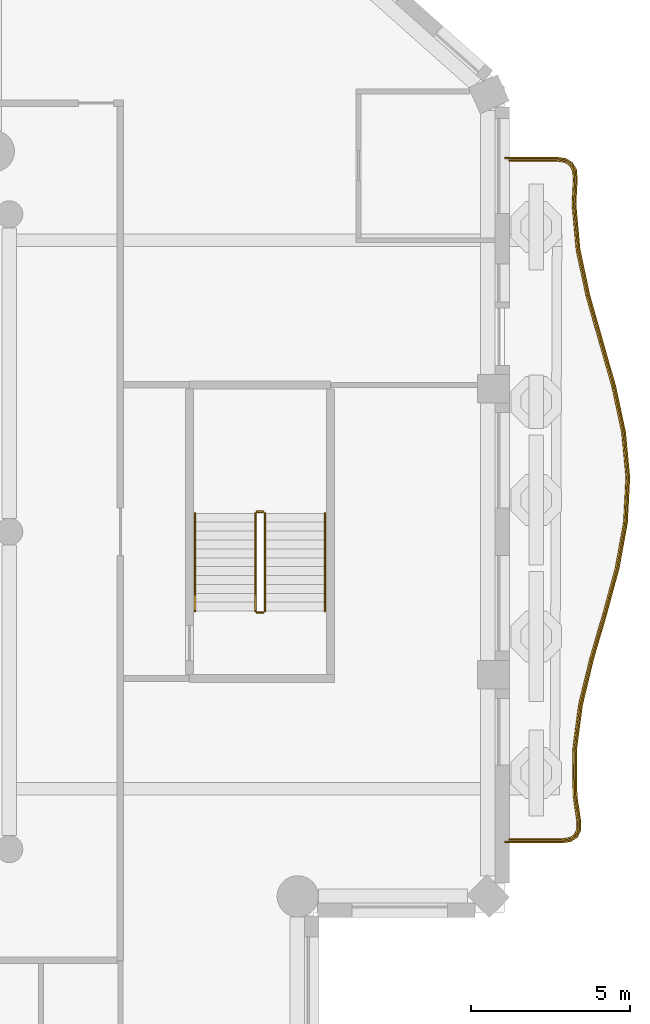
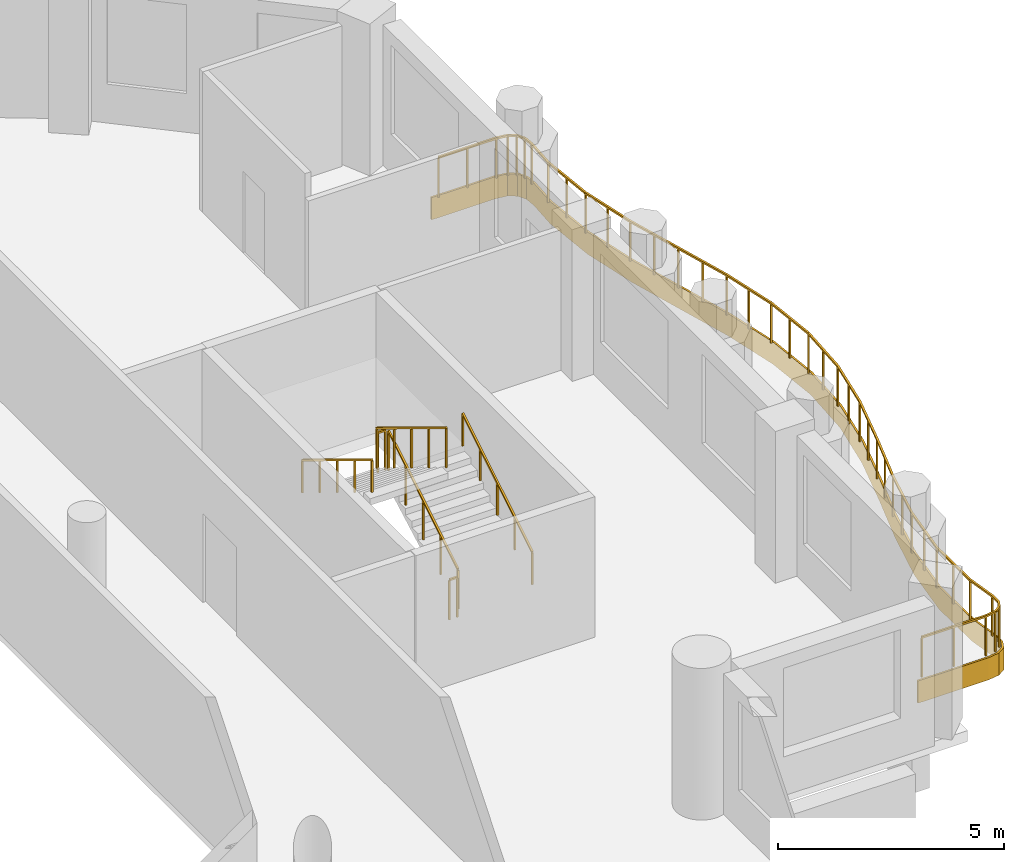
# One storey, part 12 of 14: 7 railings, 1 covering.
"""IFC4 building model written with IfcOpenShell, lengths in metres."""

from ifc_helpers import new_model, si_unit, direction, frame, origin, origin_2d, place, context, subcontext, project, spatial, polyline, rectangle, outline, extrude, material, layer, layer_set, type_object, element, save


model = new_model("IFC4")

# Units and contexts
model_context = context("Model", 3, precision=1e-05, world=origin(), true_north=direction((0.0, 1.0)))
body_context = subcontext(model_context, "Body", "Model", "MODEL_VIEW")
ifc_project = project(units=[si_unit("LENGTHUNIT", "METRE"), si_unit("AREAUNIT", "SQUARE_METRE"), si_unit("VOLUMEUNIT", "CUBIC_METRE"), si_unit("PLANEANGLEUNIT", "RADIAN"), si_unit("MASSUNIT", "GRAM", prefix="KILO")], contexts=[model_context])

# Site, building, storey
site_placement = place(None, origin())
site = spatial("IfcSite", under=ifc_project, at=site_placement, CompositionType="ELEMENT")
building_placement = place(site_placement, origin())
building = spatial("IfcBuilding", under=site, at=building_placement, Name="Cypress Arch Tower", CompositionType="ELEMENT")
storey_placement = place(building_placement, frame((0.0, 0.0, 255.699951171875)))
storey = spatial("IfcBuildingStorey", under=building, at=storey_placement, Name="L57", CompositionType="ELEMENT", Elevation=255.699951171875)

# Covering
ifc_material_1 = material(Name="White powder-coated aluminium fascia", Category="aluminium")
ifc_layer = layer(ifc_material_1, 0.050048828125)
ifc_layer_set = layer_set([ifc_layer], Name="Balcony fascia BF50")
covering_type = type_object("IfcCoveringType", Name="Balcony fascia BF50", PredefinedType="CLADDING", material=ifc_layer_set)
covering_placement = place(storey_placement, frame((0.0, 0.0, -0.599853515625)))
element("IfcCovering", 1, at=covering_placement, inside=storey, type_object=covering_type, Name="Balcony fascia L57-C17", PredefinedType="CLADDING", context=body_context, shape_type="SweptSolid", body=[
    extrude(outline(polyline([(26.2373046875, 11.800048828125), (26.531494140625, 11.7578125), (26.746826171875, 11.624267578125), (26.868408203125, 11.402099609375), (26.894775390625, 11.10595703125), (26.851806640625, 10.317626953125), (26.981201171875, 8.890869140625), (27.286376953125, 7.462158203125), (27.693115234375, 6.0302734375), (28.10205078125, 4.595458984375), (28.412353515625, 3.15771484375), (28.547607421875, 1.7177734375), (28.474365234375, 0.277587890625), (28.21044921875, -1.1611328125), (27.8212890625, -2.596923828125), (27.403076171875, -4.029541015625), (27.0576171875, -5.459228515625), (26.86962890625, -6.886474609375), (26.88427734375, -8.312744140625), (27.00244140625, -9.10107421875), (27.00390625, -9.39794921875), (26.901123046875, -9.622802734375), (26.694091796875, -9.757568359375), (26.400390625, -9.800048828125), (24.60107421875, -9.800048828125), (24.60107421875, -9.75), (26.396728515625, -9.75), (26.676025390625, -9.709716796875), (26.86181640625, -9.5888671875), (26.953857421875, -9.38720703125), (26.952392578125, -9.10498046875), (26.834228515625, -8.316650390625), (26.819580078125, -6.88330078125), (27.008544921875, -5.449951171875), (27.354736328125, -4.0166015625), (27.773193359375, -2.583251953125), (28.16162109375, -1.14990234375), (28.424560546875, 0.283447265625), (28.49755859375, 1.716552734375), (28.36279296875, 3.14990234375), (28.053466796875, 4.583251953125), (27.64501953125, 6.0166015625), (27.23779296875, 7.449951171875), (26.931884765625, 8.88330078125), (26.8017578125, 10.316650390625), (26.844482421875, 11.10498046875), (26.819580078125, 11.38720703125), (26.70947265625, 11.5888671875), (26.51416015625, 11.709716796875), (26.233642578125, 11.75), (24.60107421875, 11.75), (24.60107421875, 11.800048828125), (26.2373046875, 11.800048828125)])), origin(), (0.0, 0.0, 1.0), 0.599853515625),
])

# Railings
ifc_material_2 = material(Name="Powder-coated steel posts and rods, 100 mm clear between rods", Category="steel")
railing_type_1 = type_object("IfcRailingType", Name="Balcony guard GR1100", PredefinedType="GUARDRAIL", material=ifc_material_2)
railing_1_placement = place(storey_placement, frame((24.75, 11.699951171875, 0.0)))
element("IfcRailing", 2, at=railing_1_placement, inside=storey, type_object=railing_type_1, Name="Balcony guard L57-C17", PredefinedType="GUARDRAIL", context=body_context, shape_type="SweptSolid", body=[
    extrude(rectangle(XDim=0.050048828125, YDim=0.050048828125, at=origin_2d()), frame((0.0, 0.0, 1.0751953125), z_axis=(1.0, 0.0, 0.0), x_axis=(0.0, 1.0, 0.0)), (0.0, 0.0, 1.0), 1.480224609375),
    extrude(rectangle(XDim=0.050048828125, YDim=0.050048828125, at=origin_2d()), frame((1.480224609375, 0.0, 1.0751953125), z_axis=(0.989803813047, -0.142437395645, 0.0), x_axis=(0.142437395645, 0.989803813047, 0.0)), (0.0, 0.0, 1.0), 0.26904296875),
    extrude(rectangle(XDim=0.050048828125, YDim=0.050048828125, at=origin_2d()), frame((1.74658203125, -0.038330078125, 1.0751953125), z_axis=(0.850517497121, -0.525946753094, 0.0), x_axis=(0.525946753094, 0.850517497121, 0.0)), (0.0, 0.0, 1.0), 0.2060546875),
    extrude(rectangle(XDim=0.050048828125, YDim=0.050048828125, at=origin_2d()), frame((1.921875, -0.146728515625, 1.0751953125), z_axis=(0.479598678685, -0.877487952854, 0.0), x_axis=(0.877487952854, 0.479598678685, 0.0)), (0.0, 0.0, 1.0), 0.2060546875),
    extrude(rectangle(XDim=0.050048828125, YDim=0.050048828125, at=origin_2d()), frame((2.020751953125, -0.32763671875, 1.0751953125), z_axis=(0.087999716276, -0.996120499706, 0.0), x_axis=(0.996120499706, 0.087999716276, 0.0)), (0.0, 0.0, 1.0), 0.26904296875),
    extrude(rectangle(XDim=0.050048828125, YDim=0.050048828125, at=origin_2d()), frame((2.04443359375, -0.595703125, 1.0751953125), z_axis=(-0.054100221166, -0.99853551067, 0.0), x_axis=(0.99853551067, -0.054100221166, 0.0)), (0.0, 0.0, 1.0), 0.789794921875),
    extrude(rectangle(XDim=0.050048828125, YDim=0.050048828125, at=origin_2d()), frame((2.001708984375, -1.38427734375, 1.0751953125), z_axis=(0.090337823177, -0.995911179626, 0.0), x_axis=(0.995911179626, 0.090337823177, 0.0)), (0.0, 0.0, 1.0), 1.44580078125),
    extrude(rectangle(XDim=0.050048828125, YDim=0.050048828125, at=origin_2d()), frame((2.13232421875, -2.82421875, 1.0751953125), z_axis=(0.208905303096, -0.977935874349, 0.0), x_axis=(0.977935874349, 0.208905303096, 0.0)), (0.0, 0.0, 1.0), 1.47021484375),
    extrude(rectangle(XDim=0.050048828125, YDim=0.050048828125, at=origin_2d()), frame((2.439453125, -4.261962890625, 1.0751953125), z_axis=(0.273142861355, -0.961973480555, 0.0), x_axis=(0.961973480555, 0.273142861355, 0.0)), (0.0, 0.0, 1.0), 1.49169921875),
    extrude(rectangle(XDim=0.050048828125, YDim=0.050048828125, at=origin_2d()), frame((2.846923828125, -5.697021484375, 1.0751953125), z_axis=(0.274049575547, -0.961715566133, 0.0), x_axis=(0.961715566133, 0.274049575547, 0.0)), (0.0, 0.0, 1.0), 1.488525390625),
    extrude(rectangle(XDim=0.050048828125, YDim=0.050048828125, at=origin_2d()), frame((3.2548828125, -7.128662109375, 1.0751953125), z_axis=(0.211091314039, -0.977466345782, 0.0), x_axis=(0.977466345782, 0.211091314039, 0.0)), (0.0, 0.0, 1.0), 1.4619140625),
    extrude(rectangle(XDim=0.050048828125, YDim=0.050048828125, at=origin_2d()), frame((3.5634765625, -8.5576171875, 1.0751953125), z_axis=(0.093530698414, -0.995616396236, 0.0), x_axis=(0.995616396236, 0.093530698414, 0.0)), (0.0, 0.0, 1.0), 1.43310546875),
    extrude(rectangle(XDim=0.050048828125, YDim=0.050048828125, at=origin_2d()), frame((3.697509765625, -9.984375, 1.0751953125), z_axis=(-0.05093499696, -0.998701970602, 0.0), x_axis=(0.998701970602, -0.05093499696, 0.0)), (0.0, 0.0, 1.0), 1.428466796875),
    extrude(rectangle(XDim=0.050048828125, YDim=0.050048828125, at=origin_2d()), frame((3.624755859375, -11.410888671875, 1.0751953125), z_axis=(-0.180439042468, -0.983586169053, 0.0), x_axis=(0.983586169053, -0.180439042468, 0.0)), (0.0, 0.0, 1.0), 1.451904296875),
    extrude(rectangle(XDim=0.050048828125, YDim=0.050048828125, at=origin_2d()), frame((3.36279296875, -12.8388671875, 1.0751953125), z_axis=(-0.261514563066, -0.965199530307, 0.0), x_axis=(0.965199530307, -0.261514563066, 0.0)), (0.0, 0.0, 1.0), 1.482421875),
    extrude(rectangle(XDim=0.050048828125, YDim=0.050048828125, at=origin_2d()), frame((2.97509765625, -14.269775390625, 1.0751953125), z_axis=(-0.280307523029, -0.959910252333, 0.0), x_axis=(0.959910252333, -0.280307523029, 0.0)), (0.0, 0.0, 1.0), 1.49365234375),
    extrude(rectangle(XDim=0.050048828125, YDim=0.050048828125, at=origin_2d()), frame((2.556396484375, -15.70361328125, 1.0751953125), z_axis=(-0.234796556491, -0.972044534504, 0.0), x_axis=(0.972044534504, -0.234796556491, 0.0)), (0.0, 0.0, 1.0), 1.478515625),
    extrude(rectangle(XDim=0.050048828125, YDim=0.050048828125, at=origin_2d()), frame((2.209228515625, -17.140869140625, 1.0751953125), z_axis=(-0.130654598961, -0.991427947846, 0.0), x_axis=(0.991427947846, -0.130654598961, 0.0)), (0.0, 0.0, 1.0), 1.451904296875),
    extrude(rectangle(XDim=0.050048828125, YDim=0.050048828125, at=origin_2d()), frame((2.01953125, -18.580322265625, 1.0751953125), z_axis=(0.010340182891, -0.99994653888, 0.0), x_axis=(0.99994653888, 0.010340182891, 0.0)), (0.0, 0.0, 1.0), 1.440185546875),
    extrude(rectangle(XDim=0.050048828125, YDim=0.050048828125, at=origin_2d()), frame((2.034423828125, -20.0205078125, 1.0751953125), z_axis=(0.147936053376, -0.988996928262, 0.0), x_axis=(0.988996928262, 0.147936053376, 0.0)), (0.0, 0.0, 1.0), 0.797119140625),
    extrude(rectangle(XDim=0.050048828125, YDim=0.050048828125, at=origin_2d()), frame((2.15234375, -20.808837890625, 1.0751953125), z_axis=(0.005474370523, -0.999985015521, 0.0), x_axis=(0.999985015521, 0.005474370523, 0.0)), (0.0, 0.0, 1.0), 0.267578125),
    extrude(rectangle(XDim=0.050048828125, YDim=0.050048828125, at=origin_2d()), frame((2.15380859375, -21.076416015625, 1.0751953125), z_axis=(-0.416054123944, -0.909339851733, 0.0), x_axis=(0.909339851733, -0.416054123944, 0.0)), (0.0, 0.0, 1.0), 0.196044921875),
    extrude(rectangle(XDim=0.050048828125, YDim=0.050048828125, at=origin_2d()), frame((2.072265625, -21.254638671875, 1.0751953125), z_axis=(-0.837561076739, -0.546343703846, 0.0), x_axis=(0.546343703846, -0.837561076739, 0.0)), (0.0, 0.0, 1.0), 0.1962890625),
    extrude(rectangle(XDim=0.050048828125, YDim=0.050048828125, at=origin_2d()), frame((1.907958984375, -21.36181640625, 1.0751953125), z_axis=(-0.98982137107, -0.142315330771, 0.0), x_axis=(0.142315330771, -0.98982137107, 0.0)), (0.0, 0.0, 1.0), 0.267578125),
    extrude(rectangle(XDim=0.050048828125, YDim=0.050048828125, at=origin_2d()), frame((1.64306640625, -21.39990234375, 1.0751953125), z_axis=(-1.0, 0.0, 0.0), x_axis=(0.0, -1.0, 0.0)), (0.0, 0.0, 1.0), 1.64306640625),
    extrude(rectangle(XDim=0.0400390625, YDim=0.0400390625, at=origin_2d()), origin(), (0.0, 0.0, 1.0), 1.050048828125),
    extrude(rectangle(XDim=0.0400390625, YDim=0.0400390625, at=origin_2d()), frame((0.740234375, 0.0, 0.0)), (0.0, 0.0, 1.0), 1.050048828125),
    extrude(rectangle(XDim=0.0400390625, YDim=0.0400390625, at=origin_2d()), frame((1.480224609375, 0.0, 0.0)), (0.0, 0.0, 1.0), 1.050048828125),
    extrude(rectangle(XDim=0.0400390625, YDim=0.0400390625, at=origin_2d()), frame((1.74658203125, -0.038330078125, 0.0)), (0.0, 0.0, 1.0), 1.050048828125),
    extrude(rectangle(XDim=0.0400390625, YDim=0.0400390625, at=origin_2d()), frame((1.921875, -0.146728515625, 0.0)), (0.0, 0.0, 1.0), 1.050048828125),
    extrude(rectangle(XDim=0.0400390625, YDim=0.0400390625, at=origin_2d()), frame((2.020751953125, -0.32763671875, 0.0)), (0.0, 0.0, 1.0), 1.050048828125),
    extrude(rectangle(XDim=0.0400390625, YDim=0.0400390625, at=origin_2d()), frame((2.04443359375, -0.595703125, 0.0)), (0.0, 0.0, 1.0), 1.050048828125),
    extrude(rectangle(XDim=0.0400390625, YDim=0.0400390625, at=origin_2d()), frame((2.001708984375, -1.38427734375, 0.0)), (0.0, 0.0, 1.0), 1.050048828125),
    extrude(rectangle(XDim=0.0400390625, YDim=0.0400390625, at=origin_2d()), frame((2.06689453125, -2.104248046875, 0.0)), (0.0, 0.0, 1.0), 1.050048828125),
    extrude(rectangle(XDim=0.0400390625, YDim=0.0400390625, at=origin_2d()), frame((2.13232421875, -2.82421875, 0.0)), (0.0, 0.0, 1.0), 1.050048828125),
    extrude(rectangle(XDim=0.0400390625, YDim=0.0400390625, at=origin_2d()), frame((2.285888671875, -3.54296875, 0.0)), (0.0, 0.0, 1.0), 1.050048828125),
    extrude(rectangle(XDim=0.0400390625, YDim=0.0400390625, at=origin_2d()), frame((2.439453125, -4.261962890625, 0.0)), (0.0, 0.0, 1.0), 1.050048828125),
    extrude(rectangle(XDim=0.0400390625, YDim=0.0400390625, at=origin_2d()), frame((2.64306640625, -4.9794921875, 0.0)), (0.0, 0.0, 1.0), 1.050048828125),
    extrude(rectangle(XDim=0.0400390625, YDim=0.0400390625, at=origin_2d()), frame((2.846923828125, -5.697021484375, 0.0)), (0.0, 0.0, 1.0), 1.050048828125),
    extrude(rectangle(XDim=0.0400390625, YDim=0.0400390625, at=origin_2d()), frame((3.05078125, -6.412841796875, 0.0)), (0.0, 0.0, 1.0), 1.050048828125),
    extrude(rectangle(XDim=0.0400390625, YDim=0.0400390625, at=origin_2d()), frame((3.2548828125, -7.128662109375, 0.0)), (0.0, 0.0, 1.0), 1.050048828125),
    extrude(rectangle(XDim=0.0400390625, YDim=0.0400390625, at=origin_2d()), frame((3.4091796875, -7.84326171875, 0.0)), (0.0, 0.0, 1.0), 1.050048828125),
    extrude(rectangle(XDim=0.0400390625, YDim=0.0400390625, at=origin_2d()), frame((3.5634765625, -8.5576171875, 0.0)), (0.0, 0.0, 1.0), 1.050048828125),
    extrude(rectangle(XDim=0.0400390625, YDim=0.0400390625, at=origin_2d()), frame((3.63037109375, -9.27099609375, 0.0)), (0.0, 0.0, 1.0), 1.050048828125),
    extrude(rectangle(XDim=0.0400390625, YDim=0.0400390625, at=origin_2d()), frame((3.697509765625, -9.984375, 0.0)), (0.0, 0.0, 1.0), 1.050048828125),
    extrude(rectangle(XDim=0.0400390625, YDim=0.0400390625, at=origin_2d()), frame((3.6611328125, -10.69775390625, 0.0)), (0.0, 0.0, 1.0), 1.050048828125),
    extrude(rectangle(XDim=0.0400390625, YDim=0.0400390625, at=origin_2d()), frame((3.624755859375, -11.410888671875, 0.0)), (0.0, 0.0, 1.0), 1.050048828125),
    extrude(rectangle(XDim=0.0400390625, YDim=0.0400390625, at=origin_2d()), frame((3.49365234375, -12.125, 0.0)), (0.0, 0.0, 1.0), 1.050048828125),
    extrude(rectangle(XDim=0.0400390625, YDim=0.0400390625, at=origin_2d()), frame((3.36279296875, -12.8388671875, 0.0)), (0.0, 0.0, 1.0), 1.050048828125),
    extrude(rectangle(XDim=0.0400390625, YDim=0.0400390625, at=origin_2d()), frame((3.1689453125, -13.55419921875, 0.0)), (0.0, 0.0, 1.0), 1.050048828125),
    extrude(rectangle(XDim=0.0400390625, YDim=0.0400390625, at=origin_2d()), frame((2.97509765625, -14.269775390625, 0.0)), (0.0, 0.0, 1.0), 1.050048828125),
    extrude(rectangle(XDim=0.0400390625, YDim=0.0400390625, at=origin_2d()), frame((2.765625, -14.98681640625, 0.0)), (0.0, 0.0, 1.0), 1.050048828125),
    extrude(rectangle(XDim=0.0400390625, YDim=0.0400390625, at=origin_2d()), frame((2.556396484375, -15.70361328125, 0.0)), (0.0, 0.0, 1.0), 1.050048828125),
    extrude(rectangle(XDim=0.0400390625, YDim=0.0400390625, at=origin_2d()), frame((2.3828125, -16.42236328125, 0.0)), (0.0, 0.0, 1.0), 1.050048828125),
    extrude(rectangle(XDim=0.0400390625, YDim=0.0400390625, at=origin_2d()), frame((2.209228515625, -17.140869140625, 0.0)), (0.0, 0.0, 1.0), 1.050048828125),
    extrude(rectangle(XDim=0.0400390625, YDim=0.0400390625, at=origin_2d()), frame((2.1142578125, -17.860595703125, 0.0)), (0.0, 0.0, 1.0), 1.050048828125),
    extrude(rectangle(XDim=0.0400390625, YDim=0.0400390625, at=origin_2d()), frame((2.01953125, -18.580322265625, 0.0)), (0.0, 0.0, 1.0), 1.050048828125),
    extrude(rectangle(XDim=0.0400390625, YDim=0.0400390625, at=origin_2d()), frame((2.02685546875, -19.30029296875, 0.0)), (0.0, 0.0, 1.0), 1.050048828125),
    extrude(rectangle(XDim=0.0400390625, YDim=0.0400390625, at=origin_2d()), frame((2.034423828125, -20.0205078125, 0.0)), (0.0, 0.0, 1.0), 1.050048828125),
    extrude(rectangle(XDim=0.0400390625, YDim=0.0400390625, at=origin_2d()), frame((2.15234375, -20.808837890625, 0.0)), (0.0, 0.0, 1.0), 1.050048828125),
    extrude(rectangle(XDim=0.0400390625, YDim=0.0400390625, at=origin_2d()), frame((2.15380859375, -21.076416015625, 0.0)), (0.0, 0.0, 1.0), 1.050048828125),
    extrude(rectangle(XDim=0.0400390625, YDim=0.0400390625, at=origin_2d()), frame((2.072265625, -21.254638671875, 0.0)), (0.0, 0.0, 1.0), 1.050048828125),
    extrude(rectangle(XDim=0.0400390625, YDim=0.0400390625, at=origin_2d()), frame((1.907958984375, -21.36181640625, 0.0)), (0.0, 0.0, 1.0), 1.050048828125),
    extrude(rectangle(XDim=0.0400390625, YDim=0.0400390625, at=origin_2d()), frame((1.64306640625, -21.39990234375, 0.0)), (0.0, 0.0, 1.0), 1.050048828125),
    extrude(rectangle(XDim=0.0400390625, YDim=0.0400390625, at=origin_2d()), frame((0.821533203125, -21.39990234375, 0.0)), (0.0, 0.0, 1.0), 1.050048828125),
    extrude(rectangle(XDim=0.0400390625, YDim=0.0400390625, at=origin_2d()), frame((0.0, -21.39990234375, 0.0)), (0.0, 0.0, 1.0), 1.050048828125),
])
ifc_material_3 = material(Name="Black powder-coated steel square bar 48 mm", Category="steel")
railing_type_2 = type_object("IfcRailingType", Name="Stair handrail HR1", PredefinedType="HANDRAIL", material=ifc_material_3)
railing_2_placement = place(storey_placement, frame((18.949951171875, -2.5, 0.1708984375)))
element("IfcRailing", 3, at=railing_2_placement, inside=storey, type_object=railing_type_2, Name="L57 C stair handrail 1", PredefinedType="HANDRAIL", context=body_context, shape_type="SweptSolid", body=[
    extrude(rectangle(XDim=0.048095703125, YDim=0.048095703125, at=origin_2d()), frame((0.0, 0.0, 0.8759765625), z_axis=(0.0, 0.853666305674, 0.52082035152), x_axis=(-1.0, 0.0, 0.0)), (0.0, 0.0, 1.0), 3.608154296875),
    extrude(rectangle(XDim=0.0419921875, YDim=0.0419921875, at=origin_2d()), origin(), (0.0, 0.0, 1.0), 0.851806640625),
    extrude(rectangle(XDim=0.0419921875, YDim=0.0419921875, at=origin_2d()), frame((0.0, 0.77001953125, 0.4697265625)), (0.0, 0.0, 1.0), 0.851806640625),
    extrude(rectangle(XDim=0.0419921875, YDim=0.0419921875, at=origin_2d()), frame((0.0, 1.5400390625, 0.939453125)), (0.0, 0.0, 1.0), 0.851806640625),
    extrude(rectangle(XDim=0.0419921875, YDim=0.0419921875, at=origin_2d()), frame((0.0, 2.31005859375, 1.409423828125)), (0.0, 0.0, 1.0), 0.851806640625),
    extrude(rectangle(XDim=0.0419921875, YDim=0.0419921875, at=origin_2d()), frame((0.0, 3.080078125, 1.879150390625)), (0.0, 0.0, 1.0), 0.851806640625),
])
railing_3_placement = place(storey_placement, frame((14.85009765625, 0.580078125, 2.220947265625)))
element("IfcRailing", 4, at=railing_3_placement, inside=storey, type_object=railing_type_2, Name="L57 C stair handrail 2", PredefinedType="HANDRAIL", context=body_context, shape_type="SweptSolid", body=[
    extrude(rectangle(XDim=0.048095703125, YDim=0.048095703125, at=origin_2d()), frame((0.0, 0.0, 0.8759765625), z_axis=(0.0, -0.853666305674, 0.52082035152), x_axis=(1.0, 0.0, 0.0)), (0.0, 0.0, 1.0), 3.608154296875),
    extrude(rectangle(XDim=0.0419921875, YDim=0.0419921875, at=origin_2d()), origin(), (0.0, 0.0, 1.0), 0.851806640625),
    extrude(rectangle(XDim=0.0419921875, YDim=0.0419921875, at=origin_2d()), frame((0.0, -0.77001953125, 0.4697265625)), (0.0, 0.0, 1.0), 0.851806640625),
    extrude(rectangle(XDim=0.0419921875, YDim=0.0419921875, at=origin_2d()), frame((0.0, -1.5400390625, 0.939453125)), (0.0, 0.0, 1.0), 0.851806640625),
    extrude(rectangle(XDim=0.0419921875, YDim=0.0419921875, at=origin_2d()), frame((0.0, -2.31005859375, 1.409423828125)), (0.0, 0.0, 1.0), 0.851806640625),
    extrude(rectangle(XDim=0.0419921875, YDim=0.0419921875, at=origin_2d()), frame((0.0, -3.080078125, 1.879150390625)), (0.0, 0.0, 1.0), 0.851806640625),
])
ifc_material_4 = material(Name="Black powder-coated steel balusters", Category="steel")
railing_type_3 = type_object("IfcRailingType", Name="Stair well guard G1", PredefinedType="GUARDRAIL", material=ifc_material_4)
railing_4_placement = place(storey_placement, frame((17.050048828125, -2.5, 0.1708984375)))
element("IfcRailing", 5, at=railing_4_placement, inside=storey, type_object=railing_type_3, Name="L57 C stair guard 1", PredefinedType="GUARDRAIL", context=body_context, shape_type="SweptSolid", body=[
    extrude(rectangle(XDim=0.048095703125, YDim=0.048095703125, at=origin_2d()), frame((0.0, 0.0, 1.076171875), z_axis=(0.0, 0.853666305674, 0.52082035152), x_axis=(-1.0, 0.0, 0.0)), (0.0, 0.0, 1.0), 3.608154296875),
    extrude(rectangle(XDim=0.0419921875, YDim=0.0419921875, at=origin_2d()), origin(), (0.0, 0.0, 1.0), 1.052001953125),
    extrude(rectangle(XDim=0.0419921875, YDim=0.0419921875, at=origin_2d()), frame((0.0, 0.77001953125, 0.4697265625)), (0.0, 0.0, 1.0), 1.052001953125),
    extrude(rectangle(XDim=0.0419921875, YDim=0.0419921875, at=origin_2d()), frame((0.0, 1.5400390625, 0.939453125)), (0.0, 0.0, 1.0), 1.052001953125),
    extrude(rectangle(XDim=0.0419921875, YDim=0.0419921875, at=origin_2d()), frame((0.0, 2.31005859375, 1.409423828125)), (0.0, 0.0, 1.0), 1.052001953125),
    extrude(rectangle(XDim=0.0419921875, YDim=0.0419921875, at=origin_2d()), frame((0.0, 3.080078125, 1.879150390625)), (0.0, 0.0, 1.0), 1.052001953125),
])
railing_5_placement = place(storey_placement, frame((17.0, 0.6298828125, 2.050048828125)))
element("IfcRailing", 6, at=railing_5_placement, inside=storey, type_object=railing_type_3, Name="L57 C stair guard 2", PredefinedType="GUARDRAIL", context=body_context, shape_type="SweptSolid", body=[
    extrude(rectangle(XDim=0.048095703125, YDim=0.048095703125, at=origin_2d()), frame((0.0, 0.0, 1.076171875), z_axis=(-1.0, 0.0, 0.0), x_axis=(0.0, -1.0, 0.0)), (0.0, 0.0, 1.0), 0.199951171875),
    extrude(rectangle(XDim=0.0419921875, YDim=0.0419921875, at=origin_2d()), origin(), (0.0, 0.0, 1.0), 1.052001953125),
    extrude(rectangle(XDim=0.0419921875, YDim=0.0419921875, at=origin_2d()), frame((-0.199951171875, 0.0, 0.0)), (0.0, 0.0, 1.0), 1.052001953125),
])
railing_6_placement = place(storey_placement, frame((16.75, 0.580078125, 2.220947265625)))
element("IfcRailing", 7, at=railing_6_placement, inside=storey, type_object=railing_type_3, Name="L57 C stair guard 3", PredefinedType="GUARDRAIL", context=body_context, shape_type="SweptSolid", body=[
    extrude(rectangle(XDim=0.048095703125, YDim=0.048095703125, at=origin_2d()), frame((0.0, 0.0, 1.076171875), z_axis=(0.0, -0.853666305674, 0.52082035152), x_axis=(1.0, 0.0, 0.0)), (0.0, 0.0, 1.0), 3.608154296875),
    extrude(rectangle(XDim=0.0419921875, YDim=0.0419921875, at=origin_2d()), origin(), (0.0, 0.0, 1.0), 1.052001953125),
    extrude(rectangle(XDim=0.0419921875, YDim=0.0419921875, at=origin_2d()), frame((0.0, -0.77001953125, 0.4697265625)), (0.0, 0.0, 1.0), 1.052001953125),
    extrude(rectangle(XDim=0.0419921875, YDim=0.0419921875, at=origin_2d()), frame((0.0, -1.5400390625, 0.939453125)), (0.0, 0.0, 1.0), 1.052001953125),
    extrude(rectangle(XDim=0.0419921875, YDim=0.0419921875, at=origin_2d()), frame((0.0, -2.31005859375, 1.409423828125)), (0.0, 0.0, 1.0), 1.052001953125),
    extrude(rectangle(XDim=0.0419921875, YDim=0.0419921875, at=origin_2d()), frame((0.0, -3.080078125, 1.879150390625)), (0.0, 0.0, 1.0), 1.052001953125),
])
railing_7_placement = place(storey_placement, frame((17.0, -2.550048828125, 0.0)))
element("IfcRailing", 8, at=railing_7_placement, inside=storey, type_object=railing_type_3, Name="L57 C stair guard 4", PredefinedType="GUARDRAIL", context=body_context, shape_type="SweptSolid", body=[
    extrude(rectangle(XDim=0.048095703125, YDim=0.048095703125, at=origin_2d()), frame((0.0, 0.0, 1.076171875), z_axis=(-1.0, 0.0, 0.0), x_axis=(0.0, -1.0, 0.0)), (0.0, 0.0, 1.0), 0.199951171875),
    extrude(rectangle(XDim=0.0419921875, YDim=0.0419921875, at=origin_2d()), origin(), (0.0, 0.0, 1.0), 1.052001953125),
    extrude(rectangle(XDim=0.0419921875, YDim=0.0419921875, at=origin_2d()), frame((-0.199951171875, 0.0, 0.0)), (0.0, 0.0, 1.0), 1.052001953125),
])

save(model, "model.ifc")
